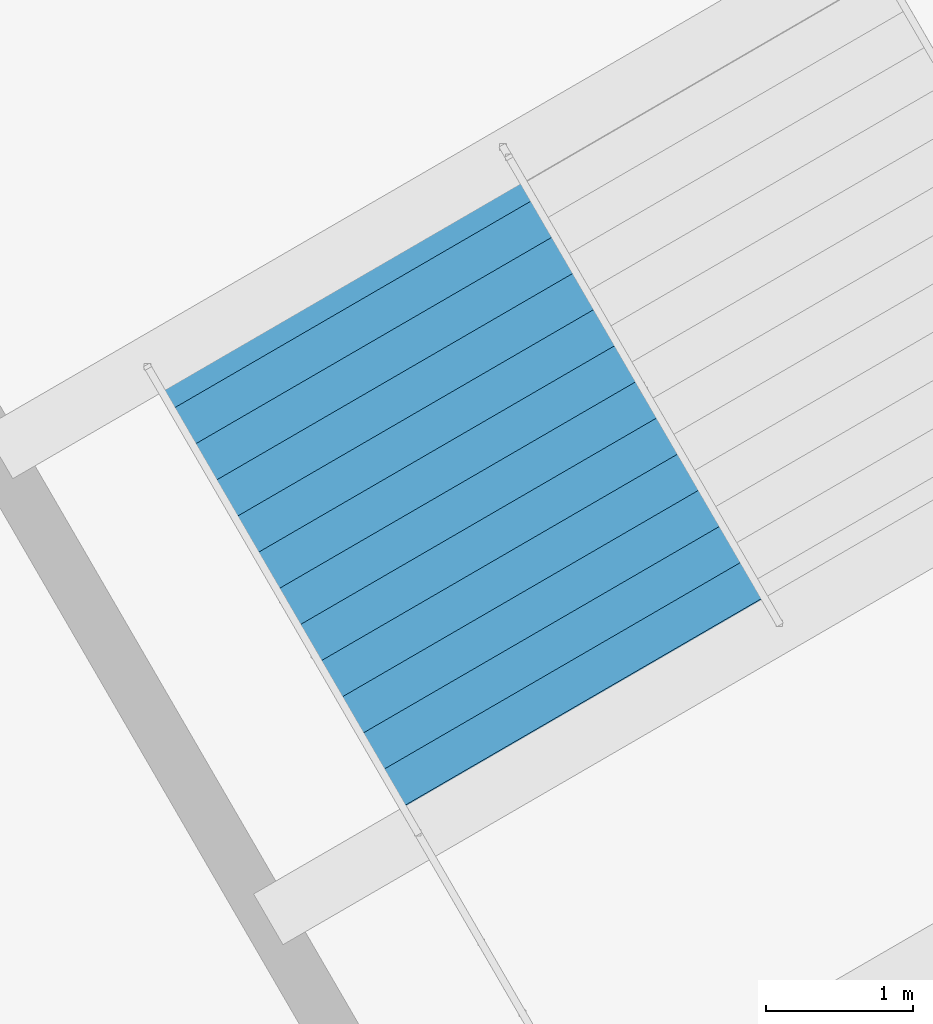
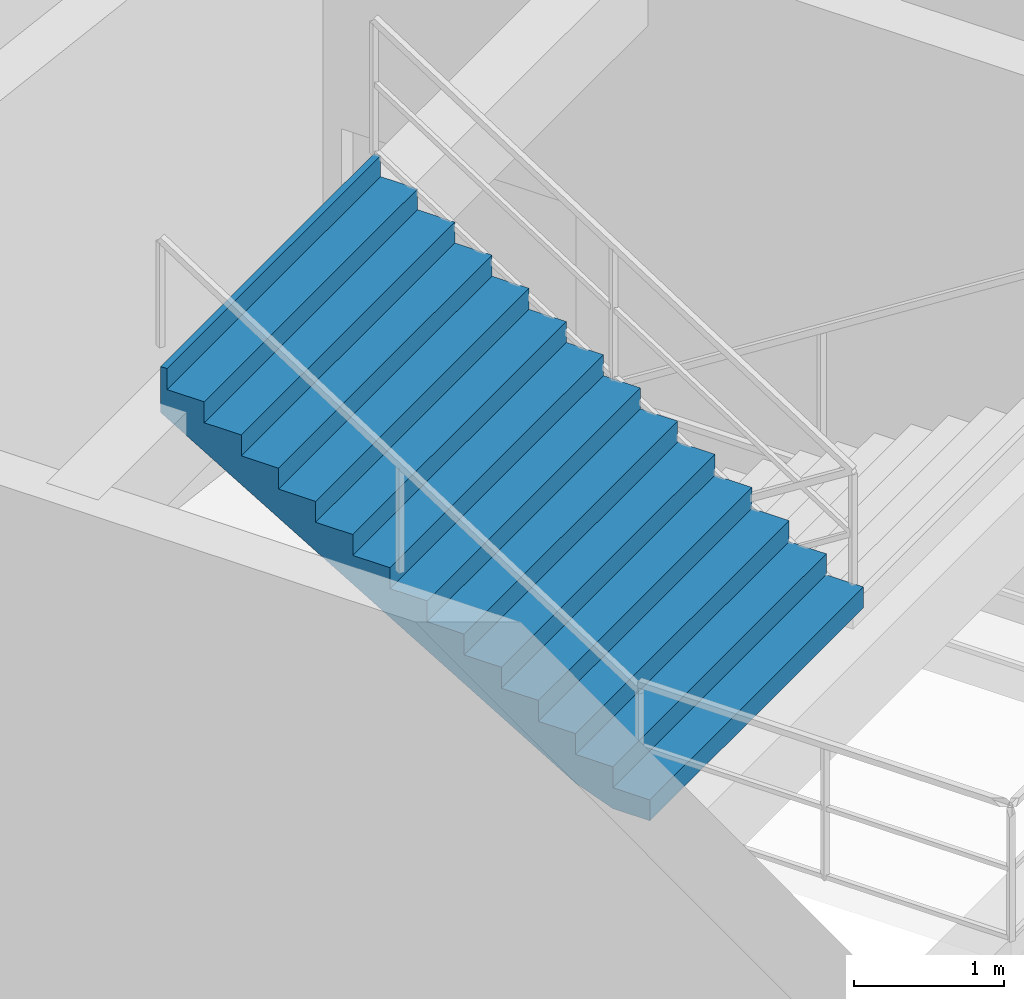
# One storey, part 142 of 171: 1 stair flight, 1 element without a shape of its own.
"""IFC4 building model written with IfcOpenShell, lengths in metres."""

from ifc_helpers import new_model, si_unit, direction, frame, origin, place, context, subcontext, project, spatial, polygons, material, type_object, element, aggregate, save


model = new_model("IFC4")

# Units and contexts
model_context = context("Model", 3, precision=1e-05, world=origin(), true_north=direction((0.0, 1.0)))
body_context = subcontext(model_context, "Body", "Model", "MODEL_VIEW")
ifc_project = project(units=[si_unit("LENGTHUNIT", "METRE"), si_unit("AREAUNIT", "SQUARE_METRE"), si_unit("VOLUMEUNIT", "CUBIC_METRE"), si_unit("PLANEANGLEUNIT", "RADIAN"), si_unit("MASSUNIT", "GRAM", prefix="KILO")], contexts=[model_context])

# Site, building, storey
site_placement = place(None, origin())
site = spatial("IfcSite", under=ifc_project, at=site_placement, CompositionType="ELEMENT")
building_placement = place(site_placement, origin())
building = spatial("IfcBuilding", under=site, at=building_placement, Name="Kazemori Nagisa Stadium", CompositionType="ELEMENT")
storey_placement = place(building_placement, frame((0.0, 0.0, 15.639892578125)))
storey = spatial("IfcBuildingStorey", under=building, at=storey_placement, Name="L03", CompositionType="ELEMENT", Elevation=15.639892578125)

# Stair, stair flight
ifc_material = material(Name="Concrete C36/45 (Fc36)", Category="concrete")
stair_type = type_object("IfcStairType", Name="Stair_CORE_28", PredefinedType="TWO_STRAIGHT_RUN_STAIR", material=ifc_material)
stair_placement = place(storey_placement, origin())
stair = element("IfcStair", 1, at=stair_placement, inside=storey, type_object=stair_type, Name="Exit stair ST09 L03", PredefinedType="TWO_STRAIGHT_RUN_STAIR")
stair_flight_type = type_object("IfcStairFlightType", Name="Flight_CORE_14", PredefinedType="STRAIGHT", material=ifc_material)
stair_flight_placement = place(storey_placement, frame((43.0439453125, 58.80322265625, 2.380126953125), z_axis=(0.0, 0.0, 1.0), x_axis=(-0.501656947, 0.865066649182, 0.0)))
stair_flight = element("IfcStairFlight", 2, at=stair_flight_placement, type_object=stair_flight_type, Name="Exit stair ST09 L03 flight 2", NumberOfRisers=14, NumberOfTreads=13, PredefinedType="STRAIGHT", RiserHeight=0.17, TreadLength=0.285, context=body_context, shape_type="Tessellation", body=[
    polygons([(0.0, -1.425048828125, 0.0), (0.0, -1.425048828125, 0.169921875), (0.284912109375, -1.425048828125, 0.169921875), (0.284912109375, -1.425048828125, 0.340087890625), (0.570068359375, -1.425048828125, 0.340087890625), (0.570068359375, -1.425048828125, 0.510009765625), (0.85498046875, -1.425048828125, 0.510009765625), (0.85498046875, -1.425048828125, 0.679931640625), (1.139892578125, -1.425048828125, 0.679931640625), (1.139892578125, -1.425048828125, 0.85009765625), (1.425048828125, -1.425048828125, 0.85009765625), (1.425048828125, -1.425048828125, 1.02001953125), (1.7099609375, -1.425048828125, 1.02001953125), (1.7099609375, -1.425048828125, 1.18994140625), (1.9951171875, -1.425048828125, 1.18994140625), (1.9951171875, -1.425048828125, 1.360107421875), (2.280029296875, -1.425048828125, 1.360107421875), (2.280029296875, -1.425048828125, 1.530029296875), (2.56494140625, -1.425048828125, 1.530029296875), (2.56494140625, -1.425048828125, 1.699951171875), (2.85009765625, -1.425048828125, 1.699951171875), (2.85009765625, -1.425048828125, 1.8701171875), (3.135009765625, -1.425048828125, 1.8701171875), (3.135009765625, -1.425048828125, 2.0400390625), (3.419921875, -1.425048828125, 2.0400390625), (3.419921875, -1.425048828125, 2.2099609375), (3.705078125, -1.425048828125, 2.2099609375), (3.705078125, -1.425048828125, 2.3798828125), (3.7548828125, -1.425048828125, 2.3798828125), (3.7548828125, -1.425048828125, 2.007080078125), (3.705078125, -1.425048828125, 1.977294921875), (3.419921875, -1.425048828125, 1.80712890625), (3.135009765625, -1.425048828125, 1.63720703125), (2.85009765625, -1.425048828125, 1.46728515625), (2.56494140625, -1.425048828125, 1.297119140625), (2.280029296875, -1.425048828125, 1.127197265625), (1.9951171875, -1.425048828125, 0.957275390625), (1.7099609375, -1.425048828125, 0.787109375), (1.425048828125, -1.425048828125, 0.6171875), (1.139892578125, -1.425048828125, 0.447265625), (0.85498046875, -1.425048828125, 0.277099609375), (0.570068359375, -1.425048828125, 0.107177734375), (0.284912109375, -1.425048828125, 0.0), (0.0, -0.08544921875, 0.0), (0.0, -0.08544921875, 0.169921875), (0.284912109375, -0.08544921875, 0.169921875), (0.284912109375, -0.08544921875, 0.340087890625), (0.570068359375, -0.08544921875, 0.340087890625), (0.570068359375, -0.08544921875, 0.510009765625), (0.85498046875, -0.08544921875, 0.510009765625), (0.85498046875, -0.08544921875, 0.679931640625), (1.139892578125, -0.08544921875, 0.679931640625), (1.139892578125, -0.08544921875, 0.85009765625), (1.425048828125, -0.08544921875, 0.85009765625), (1.425048828125, -0.08544921875, 1.02001953125), (1.7099609375, -0.08544921875, 1.02001953125), (1.7099609375, -0.08544921875, 1.18994140625), (1.9951171875, -0.08544921875, 1.18994140625), (1.9951171875, -0.08544921875, 1.360107421875), (2.280029296875, -0.08544921875, 1.360107421875), (2.280029296875, -0.08544921875, 1.530029296875), (2.56494140625, -0.08544921875, 1.530029296875), (2.56494140625, -0.08544921875, 1.699951171875), (2.85009765625, -0.08544921875, 1.699951171875), (2.85009765625, -0.08544921875, 1.8701171875), (3.135009765625, -0.08544921875, 1.8701171875), (3.135009765625, -0.08544921875, 2.0400390625), (3.419921875, -0.08544921875, 2.0400390625), (3.419921875, -0.08544921875, 2.2099609375), (3.705078125, -0.08544921875, 2.2099609375), (3.705078125, -0.08544921875, 2.3798828125), (3.7548828125, -0.08544921875, 2.3798828125), (3.7548828125, -0.08544921875, 2.007080078125), (3.705078125, -0.08544921875, 1.977294921875), (3.419921875, -0.08544921875, 1.80712890625), (3.135009765625, -0.08544921875, 1.63720703125), (2.85009765625, -0.08544921875, 1.46728515625), (2.56494140625, -0.08544921875, 1.297119140625), (2.280029296875, -0.08544921875, 1.127197265625), (1.9951171875, -0.08544921875, 0.957275390625), (1.7099609375, -0.08544921875, 0.787109375), (1.425048828125, -0.08544921875, 0.6171875), (1.139892578125, -0.08544921875, 0.447265625), (0.85498046875, -0.08544921875, 0.277099609375), (0.570068359375, -0.08544921875, 0.107177734375), (0.284912109375, -0.08544921875, 0.0), (0.0, 0.0, 0.0), (0.0, 0.0, 0.169921875), (0.284912109375, 0.0, 0.169921875), (0.284912109375, 0.0, 0.340087890625), (0.570068359375, 0.0, 0.340087890625), (0.570068359375, 0.0, 0.510009765625), (0.85498046875, 0.0, 0.510009765625), (0.85498046875, 0.0, 0.679931640625), (1.139892578125, 0.0, 0.679931640625), (1.139892578125, 0.0, 0.85009765625), (1.425048828125, 0.0, 0.85009765625), (1.425048828125, 0.0, 1.02001953125), (1.7099609375, 0.0, 1.02001953125), (1.7099609375, 0.0, 1.18994140625), (1.9951171875, 0.0, 1.18994140625), (1.9951171875, 0.0, 1.360107421875), (2.280029296875, 0.0, 1.360107421875), (2.280029296875, 0.0, 1.530029296875), (2.56494140625, 0.0, 1.530029296875), (2.56494140625, 0.0, 1.699951171875), (2.85009765625, 0.0, 1.699951171875), (2.85009765625, 0.0, 1.8701171875), (3.135009765625, 0.0, 1.8701171875), (3.135009765625, 0.0, 2.0400390625), (3.419921875, 0.0, 2.0400390625), (3.419921875, 0.0, 2.2099609375), (3.705078125, 0.0, 2.2099609375), (3.705078125, 0.0, 2.3798828125), (3.7548828125, 0.0, 2.3798828125), (3.7548828125, 0.0, 2.007080078125), (3.705078125, 0.0, 1.977294921875), (3.419921875, 0.0, 1.80712890625), (3.135009765625, 0.0, 1.63720703125), (2.85009765625, 0.0, 1.46728515625), (2.56494140625, 0.0, 1.297119140625), (2.280029296875, 0.0, 1.127197265625), (1.9951171875, 0.0, 0.957275390625), (1.7099609375, 0.0, 0.787109375), (1.425048828125, 0.0, 0.6171875), (1.139892578125, 0.0, 0.447265625), (0.85498046875, 0.0, 0.277099609375), (0.570068359375, 0.0, 0.107177734375), (0.284912109375, 0.0, 0.0), (0.0, 0.08544921875, 0.0), (0.0, 0.08544921875, 0.169921875), (0.284912109375, 0.08544921875, 0.169921875), (0.284912109375, 0.08544921875, 0.340087890625), (0.570068359375, 0.08544921875, 0.340087890625), (0.570068359375, 0.08544921875, 0.510009765625), (0.85498046875, 0.08544921875, 0.510009765625), (0.85498046875, 0.08544921875, 0.679931640625), (1.139892578125, 0.08544921875, 0.679931640625), (1.139892578125, 0.08544921875, 0.85009765625), (1.425048828125, 0.08544921875, 0.85009765625), (1.425048828125, 0.08544921875, 1.02001953125), (1.7099609375, 0.08544921875, 1.02001953125), (1.7099609375, 0.08544921875, 1.18994140625), (1.9951171875, 0.08544921875, 1.18994140625), (1.9951171875, 0.08544921875, 1.360107421875), (2.280029296875, 0.08544921875, 1.360107421875), (2.280029296875, 0.08544921875, 1.530029296875), (2.56494140625, 0.08544921875, 1.530029296875), (2.56494140625, 0.08544921875, 1.699951171875), (2.85009765625, 0.08544921875, 1.699951171875), (2.85009765625, 0.08544921875, 1.8701171875), (3.135009765625, 0.08544921875, 1.8701171875), (3.135009765625, 0.08544921875, 2.0400390625), (3.419921875, 0.08544921875, 2.0400390625), (3.419921875, 0.08544921875, 2.2099609375), (3.705078125, 0.08544921875, 2.2099609375), (3.705078125, 0.08544921875, 2.3798828125), (3.7548828125, 0.08544921875, 2.3798828125), (3.7548828125, 0.08544921875, 2.007080078125), (3.705078125, 0.08544921875, 1.977294921875), (3.419921875, 0.08544921875, 1.80712890625), (3.135009765625, 0.08544921875, 1.63720703125), (2.85009765625, 0.08544921875, 1.46728515625), (2.56494140625, 0.08544921875, 1.297119140625), (2.280029296875, 0.08544921875, 1.127197265625), (1.9951171875, 0.08544921875, 0.957275390625), (1.7099609375, 0.08544921875, 0.787109375), (1.425048828125, 0.08544921875, 0.6171875), (1.139892578125, 0.08544921875, 0.447265625), (0.85498046875, 0.08544921875, 0.277099609375), (0.570068359375, 0.08544921875, 0.107177734375), (0.284912109375, 0.08544921875, 0.0), (0.0, 1.425048828125, 0.0), (0.0, 1.425048828125, 0.169921875), (0.284912109375, 1.425048828125, 0.169921875), (0.284912109375, 1.425048828125, 0.340087890625), (0.570068359375, 1.425048828125, 0.340087890625), (0.570068359375, 1.425048828125, 0.510009765625), (0.85498046875, 1.425048828125, 0.510009765625), (0.85498046875, 1.425048828125, 0.679931640625), (1.139892578125, 1.425048828125, 0.679931640625), (1.139892578125, 1.425048828125, 0.85009765625), (1.425048828125, 1.425048828125, 0.85009765625), (1.425048828125, 1.425048828125, 1.02001953125), (1.7099609375, 1.425048828125, 1.02001953125), (1.7099609375, 1.425048828125, 1.18994140625), (1.9951171875, 1.425048828125, 1.18994140625), (1.9951171875, 1.425048828125, 1.360107421875), (2.280029296875, 1.425048828125, 1.360107421875), (2.280029296875, 1.425048828125, 1.530029296875), (2.56494140625, 1.425048828125, 1.530029296875), (2.56494140625, 1.425048828125, 1.699951171875), (2.85009765625, 1.425048828125, 1.699951171875), (2.85009765625, 1.425048828125, 1.8701171875), (3.135009765625, 1.425048828125, 1.8701171875), (3.135009765625, 1.425048828125, 2.0400390625), (3.419921875, 1.425048828125, 2.0400390625), (3.419921875, 1.425048828125, 2.2099609375), (3.705078125, 1.425048828125, 2.2099609375), (3.705078125, 1.425048828125, 2.3798828125), (3.7548828125, 1.425048828125, 2.3798828125), (3.7548828125, 1.425048828125, 2.007080078125), (3.705078125, 1.425048828125, 1.977294921875), (3.419921875, 1.425048828125, 1.80712890625), (3.135009765625, 1.425048828125, 1.63720703125), (2.85009765625, 1.425048828125, 1.46728515625), (2.56494140625, 1.425048828125, 1.297119140625), (2.280029296875, 1.425048828125, 1.127197265625), (1.9951171875, 1.425048828125, 0.957275390625), (1.7099609375, 1.425048828125, 0.787109375), (1.425048828125, 1.425048828125, 0.6171875), (1.139892578125, 1.425048828125, 0.447265625), (0.85498046875, 1.425048828125, 0.277099609375), (0.570068359375, 1.425048828125, 0.107177734375), (0.284912109375, 1.425048828125, 0.0)], [[[1, 2, 45]], [[1, 45, 44]], [[2, 3, 46]], [[2, 46, 45]], [[3, 4, 47]], [[3, 47, 46]], [[4, 5, 48]], [[4, 48, 47]], [[5, 6, 49]], [[5, 49, 48]], [[6, 7, 50]], [[6, 50, 49]], [[7, 8, 51]], [[7, 51, 50]], [[8, 9, 52]], [[8, 52, 51]], [[9, 10, 53]], [[9, 53, 52]], [[10, 11, 54]], [[10, 54, 53]], [[11, 12, 55]], [[11, 55, 54]], [[12, 13, 56]], [[12, 56, 55]], [[13, 14, 57]], [[13, 57, 56]], [[14, 15, 58]], [[14, 58, 57]], [[15, 16, 59]], [[15, 59, 58]], [[16, 17, 60]], [[16, 60, 59]], [[17, 18, 61]], [[17, 61, 60]], [[18, 19, 62]], [[18, 62, 61]], [[19, 20, 63]], [[19, 63, 62]], [[20, 21, 64]], [[20, 64, 63]], [[21, 22, 65]], [[21, 65, 64]], [[22, 23, 66]], [[22, 66, 65]], [[23, 24, 67]], [[23, 67, 66]], [[24, 25, 68]], [[24, 68, 67]], [[25, 26, 69]], [[25, 69, 68]], [[26, 27, 70]], [[26, 70, 69]], [[27, 28, 71]], [[27, 71, 70]], [[28, 29, 72]], [[28, 72, 71]], [[29, 30, 73]], [[29, 73, 72]], [[30, 31, 74]], [[30, 74, 73]], [[31, 32, 75]], [[31, 75, 74]], [[32, 33, 76]], [[32, 76, 75]], [[33, 34, 77]], [[33, 77, 76]], [[34, 35, 78]], [[34, 78, 77]], [[35, 36, 79]], [[35, 79, 78]], [[36, 37, 80]], [[36, 80, 79]], [[37, 38, 81]], [[37, 81, 80]], [[38, 39, 82]], [[38, 82, 81]], [[39, 40, 83]], [[39, 83, 82]], [[40, 41, 84]], [[40, 84, 83]], [[41, 42, 85]], [[41, 85, 84]], [[42, 43, 86]], [[42, 86, 85]], [[43, 1, 44]], [[43, 44, 86]], [[44, 45, 88]], [[44, 88, 87]], [[45, 46, 89]], [[45, 89, 88]], [[46, 47, 90]], [[46, 90, 89]], [[47, 48, 91]], [[47, 91, 90]], [[48, 49, 92]], [[48, 92, 91]], [[49, 50, 93]], [[49, 93, 92]], [[50, 51, 94]], [[50, 94, 93]], [[51, 52, 95]], [[51, 95, 94]], [[52, 53, 96]], [[52, 96, 95]], [[53, 54, 97]], [[53, 97, 96]], [[54, 55, 98]], [[54, 98, 97]], [[55, 56, 99]], [[55, 99, 98]], [[56, 57, 100]], [[56, 100, 99]], [[57, 58, 101]], [[57, 101, 100]], [[58, 59, 102]], [[58, 102, 101]], [[59, 60, 103]], [[59, 103, 102]], [[60, 61, 104]], [[60, 104, 103]], [[61, 62, 105]], [[61, 105, 104]], [[62, 63, 106]], [[62, 106, 105]], [[63, 64, 107]], [[63, 107, 106]], [[64, 65, 108]], [[64, 108, 107]], [[65, 66, 109]], [[65, 109, 108]], [[66, 67, 110]], [[66, 110, 109]], [[67, 68, 111]], [[67, 111, 110]], [[68, 69, 112]], [[68, 112, 111]], [[69, 70, 113]], [[69, 113, 112]], [[70, 71, 114]], [[70, 114, 113]], [[71, 72, 115]], [[71, 115, 114]], [[72, 73, 116]], [[72, 116, 115]], [[73, 74, 117]], [[73, 117, 116]], [[74, 75, 118]], [[74, 118, 117]], [[75, 76, 119]], [[75, 119, 118]], [[76, 77, 120]], [[76, 120, 119]], [[77, 78, 121]], [[77, 121, 120]], [[78, 79, 122]], [[78, 122, 121]], [[79, 80, 123]], [[79, 123, 122]], [[80, 81, 124]], [[80, 124, 123]], [[81, 82, 125]], [[81, 125, 124]], [[82, 83, 126]], [[82, 126, 125]], [[83, 84, 127]], [[83, 127, 126]], [[84, 85, 128]], [[84, 128, 127]], [[85, 86, 129]], [[85, 129, 128]], [[86, 44, 87]], [[86, 87, 129]], [[87, 88, 131]], [[87, 131, 130]], [[88, 89, 132]], [[88, 132, 131]], [[89, 90, 133]], [[89, 133, 132]], [[90, 91, 134]], [[90, 134, 133]], [[91, 92, 135]], [[91, 135, 134]], [[92, 93, 136]], [[92, 136, 135]], [[93, 94, 137]], [[93, 137, 136]], [[94, 95, 138]], [[94, 138, 137]], [[95, 96, 139]], [[95, 139, 138]], [[96, 97, 140]], [[96, 140, 139]], [[97, 98, 141]], [[97, 141, 140]], [[98, 99, 142]], [[98, 142, 141]], [[99, 100, 143]], [[99, 143, 142]], [[100, 101, 144]], [[100, 144, 143]], [[101, 102, 145]], [[101, 145, 144]], [[102, 103, 146]], [[102, 146, 145]], [[103, 104, 147]], [[103, 147, 146]], [[104, 105, 148]], [[104, 148, 147]], [[105, 106, 149]], [[105, 149, 148]], [[106, 107, 150]], [[106, 150, 149]], [[107, 108, 151]], [[107, 151, 150]], [[108, 109, 152]], [[108, 152, 151]], [[109, 110, 153]], [[109, 153, 152]], [[110, 111, 154]], [[110, 154, 153]], [[111, 112, 155]], [[111, 155, 154]], [[112, 113, 156]], [[112, 156, 155]], [[113, 114, 157]], [[113, 157, 156]], [[114, 115, 158]], [[114, 158, 157]], [[115, 116, 159]], [[115, 159, 158]], [[116, 117, 160]], [[116, 160, 159]], [[117, 118, 161]], [[117, 161, 160]], [[118, 119, 162]], [[118, 162, 161]], [[119, 120, 163]], [[119, 163, 162]], [[120, 121, 164]], [[120, 164, 163]], [[121, 122, 165]], [[121, 165, 164]], [[122, 123, 166]], [[122, 166, 165]], [[123, 124, 167]], [[123, 167, 166]], [[124, 125, 168]], [[124, 168, 167]], [[125, 126, 169]], [[125, 169, 168]], [[126, 127, 170]], [[126, 170, 169]], [[127, 128, 171]], [[127, 171, 170]], [[128, 129, 172]], [[128, 172, 171]], [[129, 87, 130]], [[129, 130, 172]], [[130, 131, 174]], [[130, 174, 173]], [[131, 132, 175]], [[131, 175, 174]], [[132, 133, 176]], [[132, 176, 175]], [[133, 134, 177]], [[133, 177, 176]], [[134, 135, 178]], [[134, 178, 177]], [[135, 136, 179]], [[135, 179, 178]], [[136, 137, 180]], [[136, 180, 179]], [[137, 138, 181]], [[137, 181, 180]], [[138, 139, 182]], [[138, 182, 181]], [[139, 140, 183]], [[139, 183, 182]], [[140, 141, 184]], [[140, 184, 183]], [[141, 142, 185]], [[141, 185, 184]], [[142, 143, 186]], [[142, 186, 185]], [[143, 144, 187]], [[143, 187, 186]], [[144, 145, 188]], [[144, 188, 187]], [[145, 146, 189]], [[145, 189, 188]], [[146, 147, 190]], [[146, 190, 189]], [[147, 148, 191]], [[147, 191, 190]], [[148, 149, 192]], [[148, 192, 191]], [[149, 150, 193]], [[149, 193, 192]], [[150, 151, 194]], [[150, 194, 193]], [[151, 152, 195]], [[151, 195, 194]], [[152, 153, 196]], [[152, 196, 195]], [[153, 154, 197]], [[153, 197, 196]], [[154, 155, 198]], [[154, 198, 197]], [[155, 156, 199]], [[155, 199, 198]], [[156, 157, 200]], [[156, 200, 199]], [[157, 158, 201]], [[157, 201, 200]], [[158, 159, 202]], [[158, 202, 201]], [[159, 160, 203]], [[159, 203, 202]], [[160, 161, 204]], [[160, 204, 203]], [[161, 162, 205]], [[161, 205, 204]], [[162, 163, 206]], [[162, 206, 205]], [[163, 164, 207]], [[163, 207, 206]], [[164, 165, 208]], [[164, 208, 207]], [[165, 166, 209]], [[165, 209, 208]], [[166, 167, 210]], [[166, 210, 209]], [[167, 168, 211]], [[167, 211, 210]], [[168, 169, 212]], [[168, 212, 211]], [[169, 170, 213]], [[169, 213, 212]], [[170, 171, 214]], [[170, 214, 213]], [[171, 172, 215]], [[171, 215, 214]], [[172, 130, 173]], [[172, 173, 215]], [[3, 2, 1]], [[173, 174, 175]], [[43, 3, 1]], [[173, 175, 215]], [[42, 3, 43]], [[215, 175, 214]], [[5, 3, 42]], [[214, 175, 177]], [[5, 4, 3]], [[175, 176, 177]], [[41, 5, 42]], [[214, 177, 213]], [[7, 5, 41]], [[213, 177, 179]], [[7, 6, 5]], [[177, 178, 179]], [[40, 7, 41]], [[213, 179, 212]], [[9, 7, 40]], [[212, 179, 181]], [[9, 8, 7]], [[179, 180, 181]], [[39, 9, 40]], [[212, 181, 211]], [[11, 9, 39]], [[211, 181, 183]], [[11, 10, 9]], [[181, 182, 183]], [[38, 11, 39]], [[211, 183, 210]], [[13, 11, 38]], [[210, 183, 185]], [[13, 12, 11]], [[183, 184, 185]], [[37, 13, 38]], [[210, 185, 209]], [[15, 13, 37]], [[209, 185, 187]], [[15, 14, 13]], [[185, 186, 187]], [[36, 15, 37]], [[209, 187, 208]], [[17, 15, 36]], [[208, 187, 189]], [[17, 16, 15]], [[187, 188, 189]], [[35, 17, 36]], [[208, 189, 207]], [[19, 17, 35]], [[207, 189, 191]], [[19, 18, 17]], [[189, 190, 191]], [[34, 19, 35]], [[207, 191, 206]], [[21, 19, 34]], [[206, 191, 193]], [[21, 20, 19]], [[191, 192, 193]], [[33, 21, 34]], [[206, 193, 205]], [[23, 21, 33]], [[205, 193, 195]], [[23, 22, 21]], [[193, 194, 195]], [[32, 23, 33]], [[205, 195, 204]], [[25, 23, 32]], [[204, 195, 197]], [[25, 24, 23]], [[195, 196, 197]], [[31, 25, 32]], [[204, 197, 203]], [[27, 25, 31]], [[203, 197, 199]], [[27, 26, 25]], [[197, 198, 199]], [[30, 27, 31]], [[203, 199, 202]], [[29, 27, 30]], [[202, 199, 201]], [[29, 28, 27]], [[199, 200, 201]]], closed=True),
])
aggregate(stair, [stair_flight])

save(model, "model.ifc")
